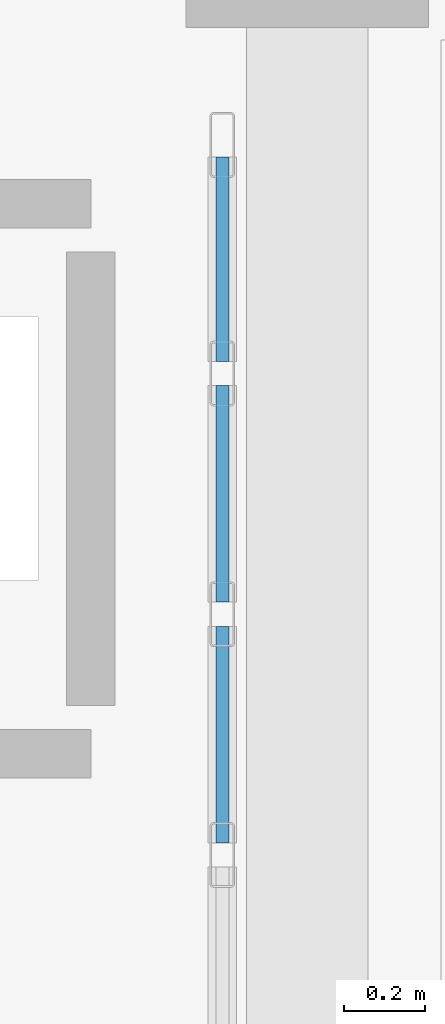
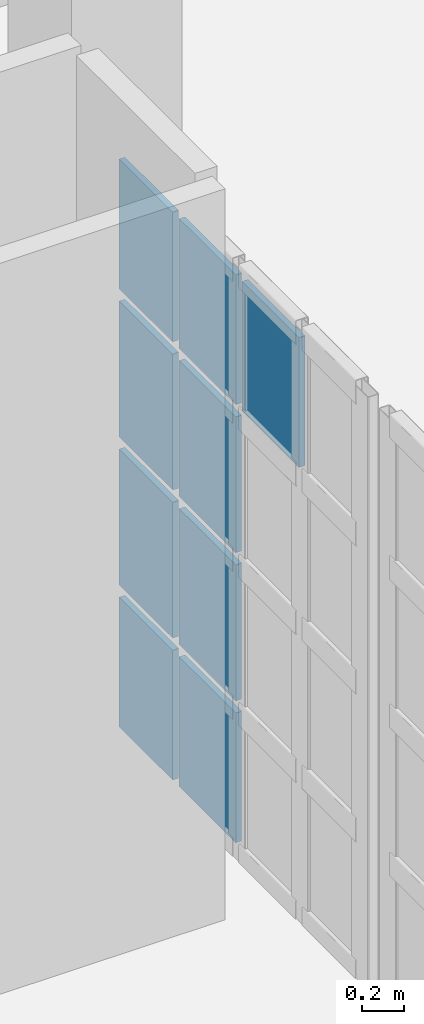
# One storey, part 58 of 73: 9 plates, 1 element without a shape of its own.
"""IFC4 building model written with IfcOpenShell, lengths in metres."""

from ifc_helpers import new_model, si_unit, direction, frame, origin, origin_2d, place, context, subcontext, project, spatial, rectangle, extrude, material, layer, layer_set, type_object, element, aggregate, save


model = new_model("IFC4")

# Units and contexts
model_context = context("Model", 3, precision=1e-05, world=origin(), true_north=direction((0.0, 1.0)))
body_context = subcontext(model_context, "Body", "Model", "MODEL_VIEW")
ifc_project = project(units=[si_unit("LENGTHUNIT", "METRE"), si_unit("AREAUNIT", "SQUARE_METRE"), si_unit("VOLUMEUNIT", "CUBIC_METRE"), si_unit("PLANEANGLEUNIT", "RADIAN"), si_unit("MASSUNIT", "GRAM", prefix="KILO")], contexts=[model_context])

# Site, building, storey
site_placement = place(None, origin())
site = spatial("IfcSite", under=ifc_project, at=site_placement, CompositionType="ELEMENT")
building_placement = place(site_placement, origin())
building = spatial("IfcBuilding", under=site, at=building_placement, Name="Kaelora Sail Theatre", CompositionType="ELEMENT")
storey_placement = place(building_placement, frame((0.0, 0.0, 10.199951171875)))
storey = spatial("IfcBuildingStorey", under=building, at=storey_placement, Name="L02", CompositionType="ELEMENT", Elevation=10.199951171875)

# Curtain wall, plates
ifc_material_1 = material(Name="Anodised aluminium and solar-control low-E IGU", Category="aluminium")
curtain_wall_type = type_object("IfcCurtainWallType", Name="ARC-CW-CW-BRG", PredefinedType="NOTDEFINED", material=ifc_material_1)
curtain_wall_placement = place(storey_placement, origin())
curtain_wall = element("IfcCurtainWall", 1, at=curtain_wall_placement, inside=storey, type_object=curtain_wall_type, Name="Glazed Colonnade/Courtyard Curtain Wall FC2-STEP-E-L02-04", PredefinedType="NOTDEFINED")
ifc_material_2 = material(Name="Solar-control laminated low-E glass", Category="glass")
ifc_layer = layer(ifc_material_2, 0.031982421875)
ifc_layer_set = layer_set([ifc_layer], Name="Solar-control laminated low-E glass")
plate_type = type_object("IfcPlateType", Name="ARC-CW-PNL", PredefinedType="CURTAIN_PANEL", material=ifc_layer_set)
plate_1_placement = place(storey_placement, frame((122.7900390625, 81.29248046875, 2.59033203125), z_axis=(0.0, 0.0, 1.0), x_axis=(0.0, 1.0, 0.0)))
plate_1 = element("IfcPlate", 2, at=plate_1_placement, type_object=plate_type, Name="CW-BRG panel 2.4", PredefinedType="CURTAIN_PANEL", context=body_context, shape_type="SweptSolid", body=[
    extrude(rectangle(XDim=0.534912109375, YDim=0.031982421875, at=origin_2d()), origin(), (0.0, 0.0, 1.0), 0.74658203125),
])
plate_2_placement = place(storey_placement, frame((122.7900390625, 81.887451171875, 0.070068359375), z_axis=(0.0, 0.0, 1.0), x_axis=(0.0, 1.0, 0.0)))
plate_2 = element("IfcPlate", 3, at=plate_2_placement, type_object=plate_type, Name="CW-BRG panel 3.1", PredefinedType="CURTAIN_PANEL", context=body_context, shape_type="SweptSolid", body=[
    extrude(rectangle(XDim=0.534912109375, YDim=0.031982421875, at=origin_2d()), origin(), (0.0, 0.0, 1.0), 0.74658203125),
])
plate_3_placement = place(storey_placement, frame((122.7900390625, 81.887451171875, 0.88671875), z_axis=(0.0, 0.0, 1.0), x_axis=(0.0, 1.0, 0.0)))
plate_3 = element("IfcPlate", 4, at=plate_3_placement, type_object=plate_type, Name="CW-BRG panel 3.2", PredefinedType="CURTAIN_PANEL", context=body_context, shape_type="SweptSolid", body=[
    extrude(rectangle(XDim=0.534912109375, YDim=0.031982421875, at=origin_2d()), origin(), (0.0, 0.0, 1.0), 0.78173828125),
])
plate_4_placement = place(storey_placement, frame((122.7900390625, 81.887451171875, 1.738525390625), z_axis=(0.0, 0.0, 1.0), x_axis=(0.0, 1.0, 0.0)))
plate_4 = element("IfcPlate", 5, at=plate_4_placement, type_object=plate_type, Name="CW-BRG panel 3.3", PredefinedType="CURTAIN_PANEL", context=body_context, shape_type="SweptSolid", body=[
    extrude(rectangle(XDim=0.534912109375, YDim=0.031982421875, at=origin_2d()), origin(), (0.0, 0.0, 1.0), 0.78173828125),
])
plate_5_placement = place(storey_placement, frame((122.7900390625, 81.887451171875, 2.59033203125), z_axis=(0.0, 0.0, 1.0), x_axis=(0.0, 1.0, 0.0)))
plate_5 = element("IfcPlate", 6, at=plate_5_placement, type_object=plate_type, Name="CW-BRG panel 3.4", PredefinedType="CURTAIN_PANEL", context=body_context, shape_type="SweptSolid", body=[
    extrude(rectangle(XDim=0.534912109375, YDim=0.031982421875, at=origin_2d()), origin(), (0.0, 0.0, 1.0), 0.74658203125),
])
plate_6_placement = place(storey_placement, frame((122.7900390625, 82.467529296875, 0.070068359375), z_axis=(0.0, 0.0, 1.0), x_axis=(0.0, 1.0, 0.0)))
plate_6 = element("IfcPlate", 7, at=plate_6_placement, type_object=plate_type, Name="CW-BRG panel 4.1", PredefinedType="CURTAIN_PANEL", context=body_context, shape_type="SweptSolid", body=[
    extrude(rectangle(XDim=0.5048828125, YDim=0.031982421875, at=origin_2d()), origin(), (0.0, 0.0, 1.0), 0.74658203125),
])
plate_7_placement = place(storey_placement, frame((122.7900390625, 82.467529296875, 0.88671875), z_axis=(0.0, 0.0, 1.0), x_axis=(0.0, 1.0, 0.0)))
plate_7 = element("IfcPlate", 8, at=plate_7_placement, type_object=plate_type, Name="CW-BRG panel 4.2", PredefinedType="CURTAIN_PANEL", context=body_context, shape_type="SweptSolid", body=[
    extrude(rectangle(XDim=0.5048828125, YDim=0.031982421875, at=origin_2d()), origin(), (0.0, 0.0, 1.0), 0.78173828125),
])
plate_8_placement = place(storey_placement, frame((122.7900390625, 82.467529296875, 1.738525390625), z_axis=(0.0, 0.0, 1.0), x_axis=(0.0, 1.0, 0.0)))
plate_8 = element("IfcPlate", 9, at=plate_8_placement, type_object=plate_type, Name="CW-BRG panel 4.3", PredefinedType="CURTAIN_PANEL", context=body_context, shape_type="SweptSolid", body=[
    extrude(rectangle(XDim=0.5048828125, YDim=0.031982421875, at=origin_2d()), origin(), (0.0, 0.0, 1.0), 0.78173828125),
])
plate_9_placement = place(storey_placement, frame((122.7900390625, 82.467529296875, 2.59033203125), z_axis=(0.0, 0.0, 1.0), x_axis=(0.0, 1.0, 0.0)))
plate_9 = element("IfcPlate", 10, at=plate_9_placement, type_object=plate_type, Name="CW-BRG panel 4.4", PredefinedType="CURTAIN_PANEL", context=body_context, shape_type="SweptSolid", body=[
    extrude(rectangle(XDim=0.5048828125, YDim=0.031982421875, at=origin_2d()), origin(), (0.0, 0.0, 1.0), 0.74658203125),
])
aggregate(curtain_wall, [plate_1, plate_2, plate_3, plate_4, plate_5, plate_6, plate_7, plate_8, plate_9])

save(model, "model.ifc")
